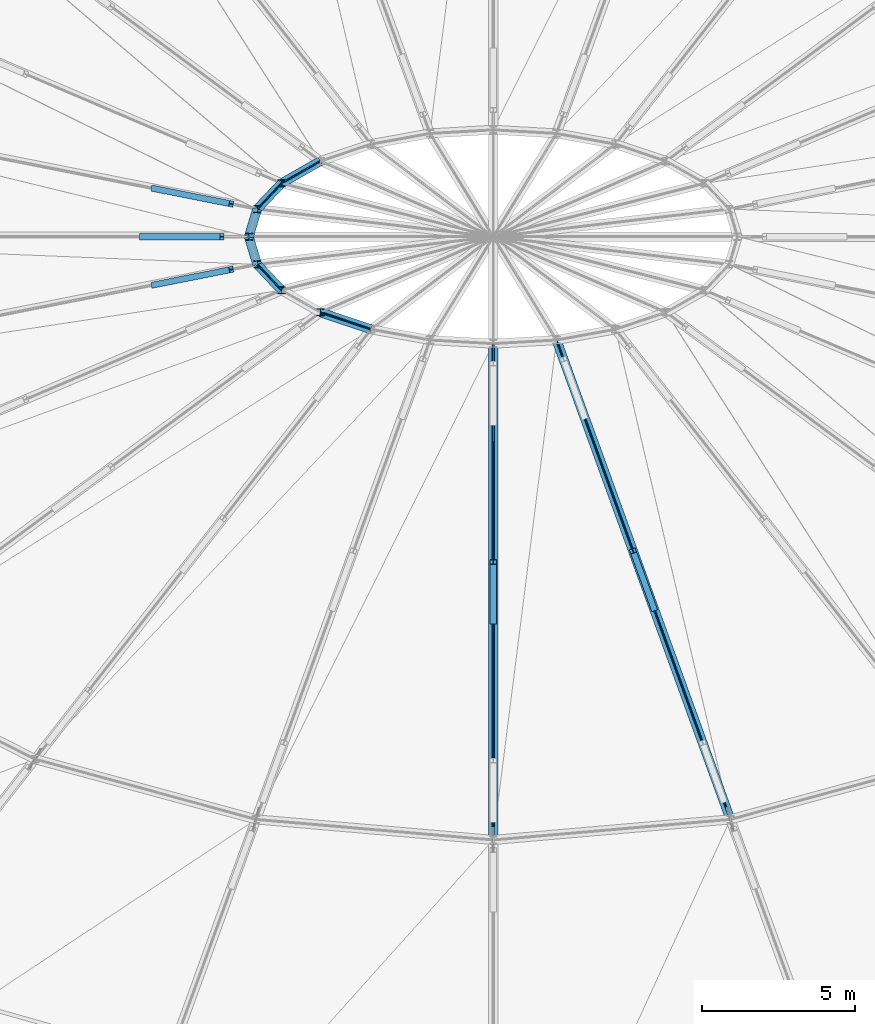
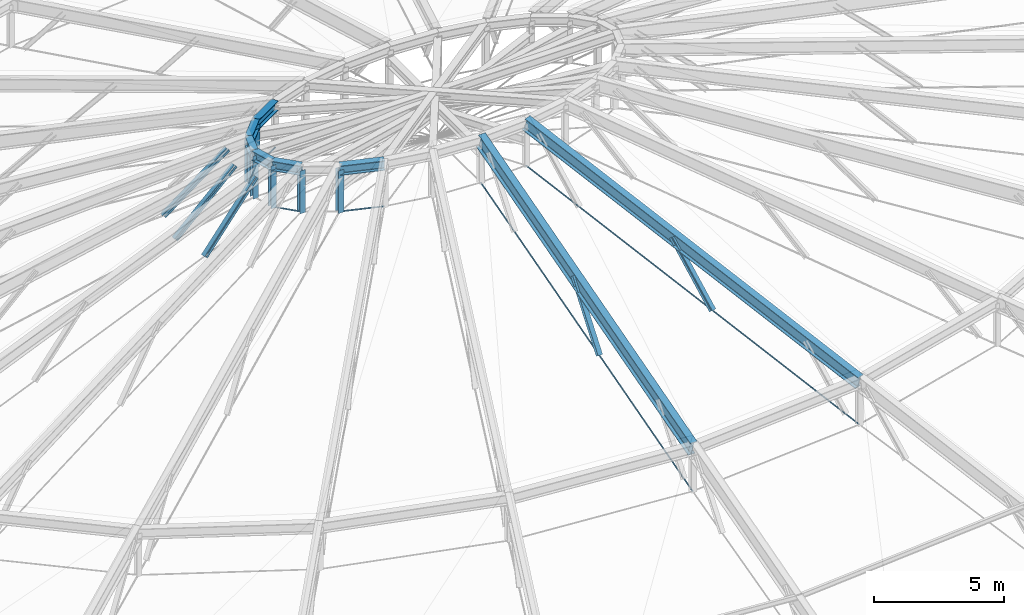
# One storey, part 14 of 83: 17 members, 8 beams.
"""IFC4 building model written with IfcOpenShell, lengths in metres."""

from ifc_helpers import new_model, si_unit, direction, frame, origin, origin_2d, place, context, subcontext, project, spatial, circle, i_section, extrude, material, material_profile, profile_set, type_object, element, save


model = new_model("IFC4")

# Units and contexts
model_context = context("Model", 3, precision=1e-05, world=origin(), true_north=direction((0.0, 1.0)))
body_context = subcontext(model_context, "Body", "Model", "MODEL_VIEW")
ifc_project = project(units=[si_unit("LENGTHUNIT", "METRE"), si_unit("AREAUNIT", "SQUARE_METRE"), si_unit("VOLUMEUNIT", "CUBIC_METRE"), si_unit("PLANEANGLEUNIT", "RADIAN"), si_unit("MASSUNIT", "GRAM", prefix="KILO")], contexts=[model_context])

# Site, building, storey
site_placement = place(None, origin())
site = spatial("IfcSite", under=ifc_project, at=site_placement, CompositionType="ELEMENT")
building_placement = place(site_placement, origin())
building = spatial("IfcBuilding", under=site, at=building_placement, Name="Kivolera Central Railway Station", CompositionType="ELEMENT")
storey_placement = place(building_placement, frame((0.0, 0.0, 14.39990234375)))
storey = spatial("IfcBuildingStorey", under=building, at=storey_placement, Name="L03", CompositionType="ELEMENT", Elevation=14.39990234375)

# Beams
ifc_material_1 = material(Name="Steel S355", Category="steel")
ifc_material_profile_1 = material_profile(ifc_material_1, i_section(OverallWidth=0.300048828125, OverallDepth=0.449951171875, WebThickness=0.013916015625, FlangeThickness=0.02587890625, FilletRadius=0.027099609375, at=origin_2d()), Name="HEB 450")
ifc_profile_set_1 = profile_set([ifc_material_profile_1], Name="Steel S355")
beam_type_1 = type_object("IfcBeamType", Name="BM-DCR-HEB450", PredefinedType="BEAM", material=ifc_profile_set_1)
beam_1_placement = place(storey_placement, frame((58.343017578125, 92.47509765625, 10.380126953125), z_axis=(-0.868592017053, -0.495527908307, 0.0), x_axis=(0.495527908307, -0.868592017053, 0.0)))
element("IfcBeam", 1, at=beam_1_placement, inside=storey, type_object=beam_type_1, Name="Oval Dome Inner Crown Ring Beam DCR2-10", PredefinedType="BEAM", context=body_context, shape_type="SweptSolid", body=[
    extrude(i_section(OverallWidth=0.300048828125, OverallDepth=0.449951171875, WebThickness=0.013916015625, FlangeThickness=0.02587890625, FilletRadius=0.027099609375, at=origin_2d()), origin(), (0.0, 0.0, 1.0), 1.46337890625),
])
beam_2_placement = place(storey_placement, frame((57.072021484375, 91.75, 10.380126953125), z_axis=(-0.687517384405, -0.726167918695, 0.0), x_axis=(0.726167918695, -0.687517384405, 0.0)))
element("IfcBeam", 2, at=beam_2_placement, inside=storey, type_object=beam_type_1, Name="Oval Dome Inner Crown Ring Beam DCR2-11", PredefinedType="BEAM", context=body_context, shape_type="SweptSolid", body=[
    extrude(i_section(OverallWidth=0.300048828125, OverallDepth=0.449951171875, WebThickness=0.013916015625, FlangeThickness=0.02587890625, FilletRadius=0.027099609375, at=origin_2d()), origin(), (0.0, 0.0, 1.0), 1.162353515625),
])
for number, where, z_axis, x_axis, name in (
    (3, (56.27294921875, 90.906005859375, 10.380126953125), (-0.288460231396, -0.9574918772, 0.0), (0.9574918772, -0.288460231396, 0.0), "Oval Dome Inner Crown Ring Beam DCR2-12"),
    (4, (56.0, 90.0, 10.380126953125), (0.288460231396, -0.9574918772, 0.0), (0.9574918772, 0.288460231396, 0.0), "Oval Dome Inner Crown Ring Beam DCR2-13"),
):
    element("IfcBeam", number, at=place(storey_placement, frame(where, z_axis=z_axis, x_axis=x_axis)), inside=storey, type_object=beam_type_1, Name=name, PredefinedType="BEAM", context=body_context, shape_type="SweptSolid", body=[
        extrude(i_section(OverallWidth=0.300048828125, OverallDepth=0.449951171875, WebThickness=0.013916015625, FlangeThickness=0.02587890625, FilletRadius=0.027099609375, at=origin_2d()), origin(), (0.0, 0.0, 1.0), 0.9462890625),
    ])
beam_3_placement = place(storey_placement, frame((56.27294921875, 89.093994140625, 10.380126953125), z_axis=(0.687517384405, -0.726167918695, 0.0), x_axis=(0.726167918695, 0.687517384405, 0.0)))
element("IfcBeam", 5, at=beam_3_placement, inside=storey, type_object=beam_type_1, Name="Oval Dome Inner Crown Ring Beam DCR2-14", PredefinedType="BEAM", context=body_context, shape_type="SweptSolid", body=[
    extrude(i_section(OverallWidth=0.300048828125, OverallDepth=0.449951171875, WebThickness=0.013916015625, FlangeThickness=0.02587890625, FilletRadius=0.027099609375, at=origin_2d()), origin(), (0.0, 0.0, 1.0), 1.162353515625),
])
beam_4_placement = place(storey_placement, frame((58.343017578125, 87.52490234375, 10.380126953125), z_axis=(0.948066876062, -0.318071058906, 0.0), x_axis=(0.318071058906, 0.948066876062, 0.0)))
element("IfcBeam", 6, at=beam_4_placement, inside=storey, type_object=beam_type_1, Name="Oval Dome Inner Crown Ring Beam DCR2-16", PredefinedType="BEAM", context=body_context, shape_type="SweptSolid", body=[
    extrude(i_section(OverallWidth=0.300048828125, OverallDepth=0.449951171875, WebThickness=0.013916015625, FlangeThickness=0.02587890625, FilletRadius=0.027099609375, at=origin_2d()), origin(), (0.0, 0.0, 1.0), 1.747802734375),
])
ifc_material_profile_2 = material_profile(ifc_material_1, i_section(OverallWidth=0.300048828125, OverallDepth=0.60009765625, WebThickness=0.015380859375, FlangeThickness=0.030029296875, FilletRadius=0.027099609375, at=origin_2d()), Name="HEB 600")
ifc_profile_set_2 = profile_set([ifc_material_profile_2], Name="Steel S355")
beam_type_2 = type_object("IfcBeamType", Name="BM-DRB-HEB600", PredefinedType="BEAM", material=ifc_profile_set_2)
beam_5_placement = place(storey_placement, frame((71.764892578125, 70.923095703125, 5.780029296875), z_axis=(-0.328767895106, 0.906289682546, 0.265613784391), x_axis=(-0.940056982203, -0.341017404557, 0.0)))
element("IfcBeam", 7, at=beam_5_placement, inside=storey, type_object=beam_type_2, Name="Oval Dome Radial Arch Rib Mid Segment DRB2-20", PredefinedType="BEAM", context=body_context, shape_type="SweptSolid", body=[
    extrude(i_section(OverallWidth=0.300048828125, OverallDepth=0.60009765625, WebThickness=0.015380859375, FlangeThickness=0.030029296875, FilletRadius=0.027099609375, at=origin_2d()), origin(), (0.0, 0.0, 1.0), 17.31884765625),
])
ifc_material_profile_3 = material_profile(ifc_material_1, i_section(OverallWidth=0.300048828125, OverallDepth=0.699951171875, WebThickness=0.01708984375, FlangeThickness=0.031982421875, FilletRadius=0.027099609375, at=origin_2d()), Name="HEB 700")
ifc_profile_set_3 = profile_set([ifc_material_profile_3], Name="Steel S355")
beam_type_3 = type_object("IfcBeamType", Name="BM-DRB-HEB700", PredefinedType="BEAM", material=ifc_profile_set_3)
beam_6_placement = place(storey_placement, frame((64.0, 70.25, 5.780029296875), z_axis=(0.0, 0.962189891935, 0.272379536416), x_axis=(-1.0, 0.0, 0.0)))
element("IfcBeam", 8, at=beam_6_placement, inside=storey, type_object=beam_type_3, Name="Oval Dome Radial Arch Rib Mid Segment DRB2-19", PredefinedType="BEAM", context=body_context, shape_type="SweptSolid", body=[
    extrude(i_section(OverallWidth=0.300048828125, OverallDepth=0.699951171875, WebThickness=0.01708984375, FlangeThickness=0.031982421875, FilletRadius=0.027099609375, at=origin_2d()), origin(), (0.0, 0.0, 1.0), 16.888671875),
])

# Members
ifc_material_2 = material(Name="Spiral strand steel S460", Category="steel")
ifc_material_profile_4 = material_profile(ifc_material_2, circle(Radius=0.02392578125, at=origin_2d()), Name="CABLE D48")
ifc_profile_set_4 = profile_set([ifc_material_profile_4], Name="Spiral strand steel S460")
member_type_1 = type_object("IfcMemberType", Name="MEM-CABLE-D48", PredefinedType="USERDEFINED", material=ifc_profile_set_4)
member_1_placement = place(storey_placement, frame((58.343017578125, 92.47509765625, 8.380126953125), z_axis=(-0.868592017053, -0.495527908307, 0.0), x_axis=(0.495527908307, -0.868592017053, 0.0)))
element("IfcMember", 9, at=member_1_placement, inside=storey, type_object=member_type_1, Name="Dome Crown Hoop Tension Cable HC2-10", ObjectType="TENSION_CABLE", PredefinedType="USERDEFINED", context=body_context, shape_type="SweptSolid", body=[
    extrude(circle(Radius=0.02392578125, at=origin_2d()), origin(), (0.0, 0.0, 1.0), 1.46337890625),
])
for number, where, z_axis, x_axis, name in (
    (10, (57.072021484375, 91.75, 8.380126953125), (-0.687517384405, -0.726167918695, 0.0), (0.726167918695, -0.687517384405, 0.0), "Dome Crown Hoop Tension Cable HC2-11"),
    (11, (56.27294921875, 89.093994140625, 8.380126953125), (0.687517384405, -0.726167918695, 0.0), (0.726167918695, 0.687517384405, 0.0), "Dome Crown Hoop Tension Cable HC2-14"),
):
    element("IfcMember", number, at=place(storey_placement, frame(where, z_axis=z_axis, x_axis=x_axis)), inside=storey, type_object=member_type_1, Name=name, ObjectType="TENSION_CABLE", PredefinedType="USERDEFINED", context=body_context, shape_type="SweptSolid", body=[
        extrude(circle(Radius=0.02392578125, at=origin_2d()), origin(), (0.0, 0.0, 1.0), 1.162353515625),
    ])
member_2_placement = place(storey_placement, frame((58.343017578125, 87.52490234375, 8.380126953125), z_axis=(0.948066876062, -0.318071058906, 0.0), x_axis=(0.318071058906, 0.948066876062, 0.0)))
element("IfcMember", 12, at=member_2_placement, inside=storey, type_object=member_type_1, Name="Dome Crown Hoop Tension Cable HC2-16", ObjectType="TENSION_CABLE", PredefinedType="USERDEFINED", context=body_context, shape_type="SweptSolid", body=[
    extrude(circle(Radius=0.02392578125, at=origin_2d()), origin(), (0.0, 0.0, 1.0), 1.747802734375),
])
ifc_material_profile_5 = material_profile(ifc_material_2, circle(Radius=0.031982421875, at=origin_2d()), Name="CABLE D64")
ifc_profile_set_5 = profile_set([ifc_material_profile_5], Name="Spiral strand steel S460")
member_type_2 = type_object("IfcMemberType", Name="MEM-CABLE-D64", PredefinedType="USERDEFINED", material=ifc_profile_set_5)
member_3_placement = place(storey_placement, frame((64.0, 70.25, 3.780029296875), z_axis=(0.0, 0.962189891935, 0.272379536416), x_axis=(-1.0, 0.0, 0.0)))
element("IfcMember", 13, at=member_3_placement, inside=storey, type_object=member_type_2, Name="Dome Inner Radial Tension Cable RC2-19", ObjectType="TENSION_CABLE", PredefinedType="USERDEFINED", context=body_context, shape_type="SweptSolid", body=[
    extrude(circle(Radius=0.031982421875, at=origin_2d()), origin(), (0.0, 0.0, 1.0), 16.888671875),
])
member_4_placement = place(storey_placement, frame((71.764892578125, 70.923095703125, 3.780029296875), z_axis=(-0.328767895106, 0.906289682546, 0.265613784391), x_axis=(-0.940056982203, -0.341017404557, 0.0)))
element("IfcMember", 14, at=member_4_placement, inside=storey, type_object=member_type_2, Name="Dome Inner Radial Tension Cable RC2-20", ObjectType="TENSION_CABLE", PredefinedType="USERDEFINED", context=body_context, shape_type="SweptSolid", body=[
    extrude(circle(Radius=0.031982421875, at=origin_2d()), origin(), (0.0, 0.0, 1.0), 17.31884765625),
])
ifc_material_profile_6 = material_profile(ifc_material_1, i_section(OverallWidth=0.239990234375, OverallDepth=0.22998046875, WebThickness=0.007568359375, FlangeThickness=0.011962890625, FilletRadius=0.02099609375, at=origin_2d()), Name="HEA 240")
ifc_profile_set_6 = profile_set([ifc_material_profile_6], Name="Steel S355")
member_type_3 = type_object("IfcMemberType", Name="MEM-RAF-HEA240", PredefinedType="STRUT", material=ifc_profile_set_6)
for number, where, z_axis, x_axis, name in (
    (15, (57.072021484375, 91.75, 8.380126953125), (0.0, 0.0, 1.0), (1.0, 0.0, 0.0), "Dome Crown Spreader Post DP2-11"),
    (16, (56.27294921875, 90.906005859375, 8.380126953125), (0.0, 0.0, 1.0), (1.0, 0.0, 0.0), "Dome Crown Spreader Post DP2-12"),
    (17, (56.0, 90.0, 8.380126953125), (0.0, 0.0, 1.0), (1.0, 0.0, 0.0), "Dome Crown Spreader Post DP2-13"),
    (18, (56.27294921875, 89.093994140625, 8.380126953125), (0.0, 0.0, 1.0), (1.0, 0.0, 0.0), "Dome Crown Spreader Post DP2-14"),
    (19, (57.072021484375, 88.25, 8.380126953125), (0.0, 0.0, 1.0), (1.0, 0.0, 0.0), "Dome Crown Spreader Post DP2-15"),
    (20, (58.343017578125, 87.52490234375, 8.380126953125), (0.0, 0.0, 1.0), (1.0, 0.0, 0.0), "Dome Crown Spreader Post DP2-16"),
):
    element("IfcMember", number, at=place(storey_placement, frame(where, z_axis=z_axis, x_axis=x_axis)), inside=storey, type_object=member_type_3, Name=name, PredefinedType="STRUT", context=body_context, shape_type="SweptSolid", body=[
        extrude(i_section(OverallWidth=0.239990234375, OverallDepth=0.22998046875, WebThickness=0.007568359375, FlangeThickness=0.011962890625, FilletRadius=0.02099609375, at=origin_2d()), origin(), (0.0, 0.0, 1.0), 2.0),
    ])
ifc_material_profile_7 = material_profile(ifc_material_1, i_section(OverallWidth=0.199951171875, OverallDepth=0.199951171875, WebThickness=0.009033203125, FlangeThickness=0.014892578125, FilletRadius=0.01806640625, at=origin_2d()), Name="HEB 200")
ifc_profile_set_7 = profile_set([ifc_material_profile_7], Name="Steel S355")
member_type_4 = type_object("IfcMemberType", Name="MEM-RAF-HEB200", PredefinedType="RAFTER", material=ifc_profile_set_7)
member_5_placement = place(storey_placement, frame((52.873046875, 91.5791015625, 7.64404296875), z_axis=(0.70000791602, -0.13866121381, 0.700544063778), x_axis=(0.194309748396, 0.980940223295, 0.0)))
element("IfcMember", 21, at=member_5_placement, inside=storey, type_object=member_type_4, Name="Dome Inner Truss Raking Web DWEB2-12.3", PredefinedType="RAFTER", context=body_context, shape_type="SweptSolid", body=[
    extrude(i_section(OverallWidth=0.199951171875, OverallDepth=0.199951171875, WebThickness=0.009033203125, FlangeThickness=0.014892578125, FilletRadius=0.01806640625, at=origin_2d()), origin(), (0.0, 0.0, 1.0), 3.642822265625),
])
member_6_placement = place(storey_placement, frame((52.47998046875, 90.0, 7.64404296875), z_axis=(0.719006095885, 0.0, 0.695003765515), x_axis=(0.0, 1.0, 0.0)))
element("IfcMember", 22, at=member_6_placement, inside=storey, type_object=member_type_4, Name="Dome Inner Truss Raking Web DWEB2-13.3", PredefinedType="RAFTER", context=body_context, shape_type="SweptSolid", body=[
    extrude(i_section(OverallWidth=0.199951171875, OverallDepth=0.199951171875, WebThickness=0.009033203125, FlangeThickness=0.014892578125, FilletRadius=0.01806640625, at=origin_2d()), origin(), (0.0, 0.0, 1.0), 3.671875),
])
member_7_placement = place(storey_placement, frame((52.873046875, 88.4208984375, 7.64404296875), z_axis=(0.70000791602, 0.13866121381, 0.700544063778), x_axis=(-0.194309748396, 0.980940223295, 0.0)))
element("IfcMember", 23, at=member_7_placement, inside=storey, type_object=member_type_4, Name="Dome Inner Truss Raking Web DWEB2-14.3", PredefinedType="RAFTER", context=body_context, shape_type="SweptSolid", body=[
    extrude(i_section(OverallWidth=0.199951171875, OverallDepth=0.199951171875, WebThickness=0.009033203125, FlangeThickness=0.014892578125, FilletRadius=0.01806640625, at=origin_2d()), origin(), (0.0, 0.0, 1.0), 3.642822265625),
])
member_8_placement = place(storey_placement, frame((64.0, 77.39990234375, 5.80419921875), z_axis=(0.0, 0.607187682009, 0.794558442669), x_axis=(-1.0, 0.0, 0.0)))
element("IfcMember", 24, at=member_8_placement, inside=storey, type_object=member_type_4, Name="Dome Inner Truss Raking Web DWEB2-19.2", PredefinedType="RAFTER", context=body_context, shape_type="SweptSolid", body=[
    extrude(i_section(OverallWidth=0.199951171875, OverallDepth=0.199951171875, WebThickness=0.009033203125, FlangeThickness=0.014892578125, FilletRadius=0.01806640625, at=origin_2d()), origin(), (0.0, 0.0, 1.0), 3.2119140625),
])
member_9_placement = place(storey_placement, frame((69.260009765625, 77.8291015625, 5.80419921875), z_axis=(-0.210817926506, 0.580539300827, 0.786466732964), x_axis=(-0.939942715571, -0.341332230305, 0.0)))
element("IfcMember", 25, at=member_9_placement, inside=storey, type_object=member_type_4, Name="Dome Inner Truss Raking Web DWEB2-20.2", PredefinedType="RAFTER", context=body_context, shape_type="SweptSolid", body=[
    extrude(i_section(OverallWidth=0.199951171875, OverallDepth=0.199951171875, WebThickness=0.009033203125, FlangeThickness=0.014892578125, FilletRadius=0.01806640625, at=origin_2d()), origin(), (0.0, 0.0, 1.0), 3.244873046875),
])

save(model, "model.ifc")
